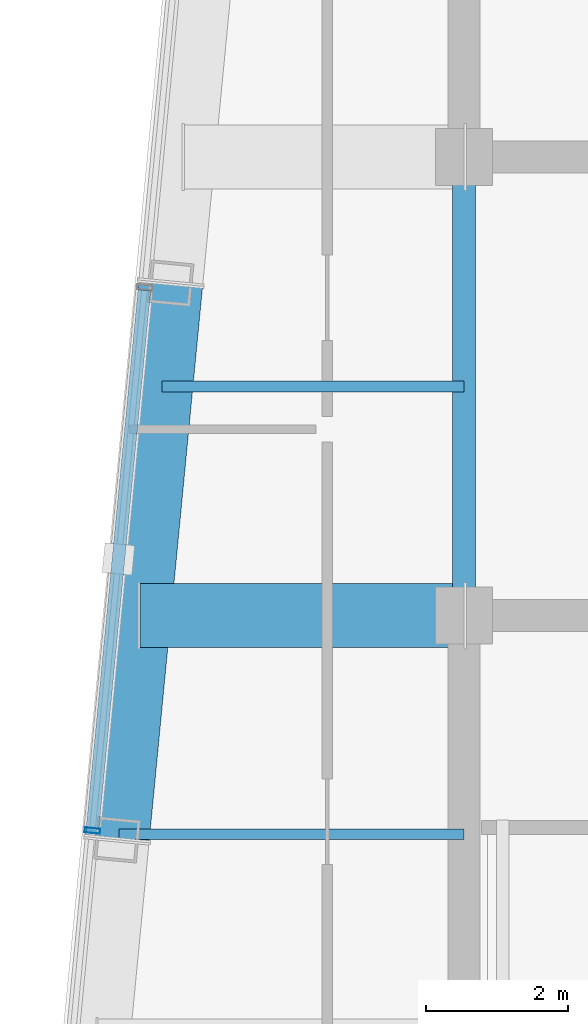
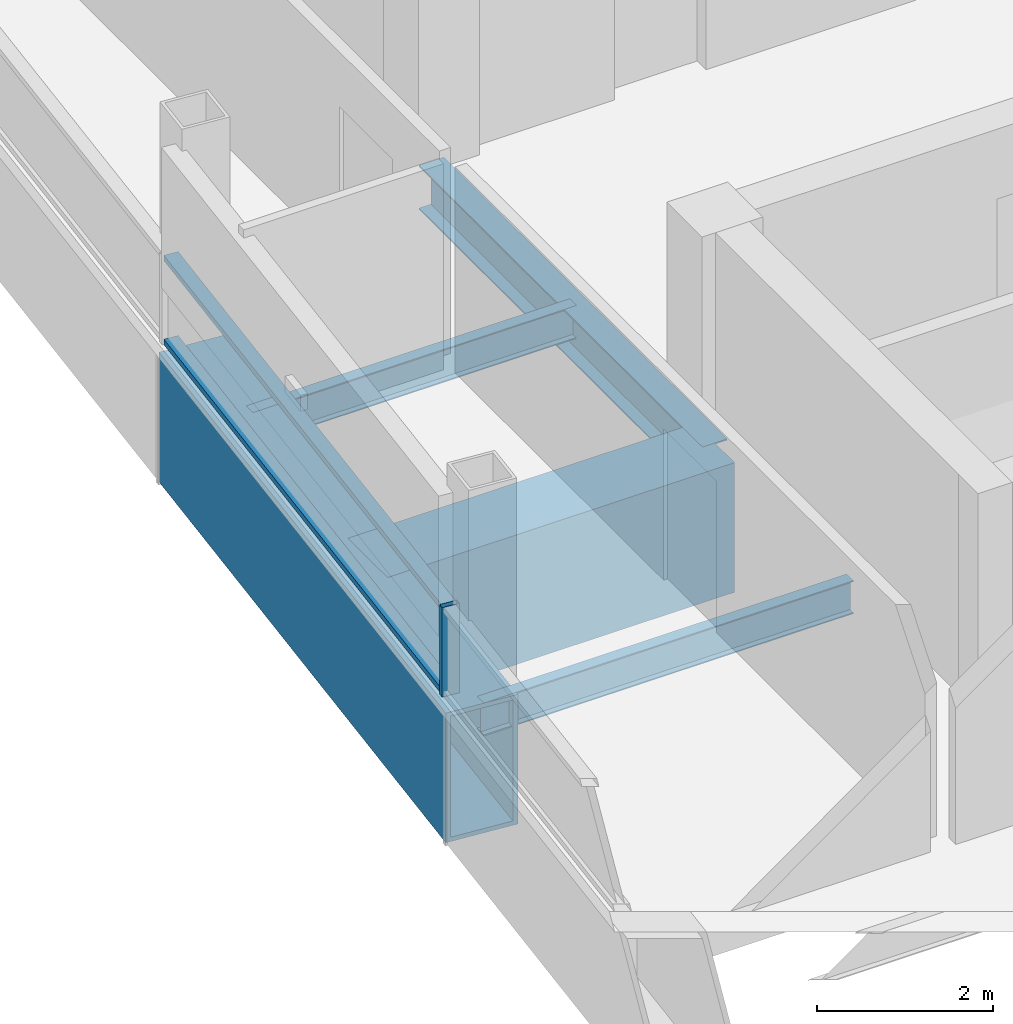
# One storey, part 6 of 21: 5 beams, 3 members, 1 element without a shape of its own.
"""IFC4 building model written with IfcOpenShell, lengths in metres."""

from ifc_helpers import new_model, si_unit, direction, frame, origin, origin_2d, place, context, subcontext, project, spatial, hollow_rectangle, i_section, extrude, material, layer, layer_set, material_profile, profile_set, type_object, element, aggregate, save


model = new_model("IFC4")

# Units and contexts
model_context = context("Model", 3, precision=1e-05, world=origin(), true_north=direction((0.0, 1.0)))
body_context = subcontext(model_context, "Body", "Model", "MODEL_VIEW")
ifc_project = project(units=[si_unit("LENGTHUNIT", "METRE"), si_unit("AREAUNIT", "SQUARE_METRE"), si_unit("VOLUMEUNIT", "CUBIC_METRE"), si_unit("PLANEANGLEUNIT", "RADIAN"), si_unit("MASSUNIT", "GRAM", prefix="KILO")], contexts=[model_context])

# Site, building, storey
site_placement = place(None, origin())
site = spatial("IfcSite", under=ifc_project, at=site_placement, CompositionType="ELEMENT")
building_placement = place(site_placement, origin())
building = spatial("IfcBuilding", under=site, at=building_placement, Name="Qhalaya Broadcast Tower", CompositionType="ELEMENT")
storey_placement = place(building_placement, frame((0.0, 0.0, 270.300048828125)))
storey = spatial("IfcBuildingStorey", under=building, at=storey_placement, Name="L80", CompositionType="ELEMENT", Elevation=270.300048828125)

# Beams
ifc_material_1 = material(Name="Structural Steel ASTM A572 Grade 50", Category="steel")
ifc_material_profile_1 = material_profile(ifc_material_1, hollow_rectangle(XDim=0.89990234375, YDim=1.800048828125, WallThickness=0.06005859375, at=origin_2d()), Name="BOX 900x1800x60")
ifc_profile_set_1 = profile_set([ifc_material_profile_1], Name="Structural Steel ASTM A572 Grade 50")
beam_type_1 = type_object("IfcBeamType", Name="Block Cantilever Transfer Box Girder TG1", PredefinedType="USERDEFINED", material=ifc_profile_set_1)
beam_1_placement = place(storey_placement, frame((-13.50244140625, 2.052490234375, -1.090087890625), z_axis=(-0.095837184179, -0.995397023367, 0.0), x_axis=(0.995397023367, -0.095837184179, 0.0)))
element("IfcBeam", 1, at=beam_1_placement, inside=storey, type_object=beam_type_1, Name="L80 TG1 L80-SPR-14", ObjectType="GIRDER", PredefinedType="USERDEFINED", context=body_context, shape_type="SweptSolid", body=[
    extrude(hollow_rectangle(XDim=0.89990234375, YDim=1.800048828125, WallThickness=0.06005859375, at=origin_2d()), origin(), (0.0, 0.0, 1.0), 7.866455078125),
])
beam_2_placement = place(storey_placement, frame((-13.9326171875, -2.625, -1.090087890625), z_axis=(1.0, 0.0, 0.0), x_axis=(0.0, 1.0, 0.0)))
element("IfcBeam", 2, at=beam_2_placement, inside=storey, type_object=beam_type_1, Name="L80 TG1 L80-PGYW2-1", ObjectType="GIRDER", PredefinedType="USERDEFINED", context=body_context, shape_type="SweptSolid", body=[
    extrude(hollow_rectangle(XDim=0.89990234375, YDim=1.800048828125, WallThickness=0.06005859375, at=origin_2d()), origin(), (0.0, 0.0, 1.0), 4.5576171875),
])
ifc_material_2 = material(Name="Structural Steel ASTM A992 Grade 50", Category="steel")
ifc_material_profile_2 = material_profile(ifc_material_2, i_section(OverallWidth=0.154052734375, OverallDepth=0.458984375, WebThickness=0.009033203125, FlangeThickness=0.015380859375, at=origin_2d()), Name="W18X46")
ifc_profile_set_2 = profile_set([ifc_material_profile_2], Name="Structural Steel ASTM A992 Grade 50")
beam_type_2 = type_object("IfcBeamType", Name="Composite Floor Joist J04", PredefinedType="JOIST", material=ifc_profile_set_2)
beam_3_placement = place(storey_placement, frame((-14.228759765625, -5.699951171875, -0.41943359375), z_axis=(1.0, 0.0, 0.0), x_axis=(0.0, 1.0, 0.0)))
element("IfcBeam", 3, at=beam_3_placement, inside=storey, type_object=beam_type_2, Name="L80 J04 L80-JWE3W-1", PredefinedType="JOIST", context=body_context, shape_type="SweptSolid", body=[
    extrude(i_section(OverallWidth=0.154052734375, OverallDepth=0.458984375, WebThickness=0.009033203125, FlangeThickness=0.015380859375, at=origin_2d()), origin(), (0.0, 0.0, 1.0), 4.853759765625),
])
beam_4_placement = place(storey_placement, frame((-13.622314453125, 0.60009765625, -0.41943359375), z_axis=(1.0, 0.0, 0.0), x_axis=(0.0, 1.0, 0.0)))
element("IfcBeam", 4, at=beam_4_placement, inside=storey, type_object=beam_type_2, Name="L80 J04 L80-JWE4W-1", PredefinedType="JOIST", context=body_context, shape_type="SweptSolid", body=[
    extrude(i_section(OverallWidth=0.154052734375, OverallDepth=0.458984375, WebThickness=0.009033203125, FlangeThickness=0.015380859375, at=origin_2d()), origin(), (0.0, 0.0, 1.0), 4.247314453125),
])
ifc_material_profile_3 = material_profile(ifc_material_2, i_section(OverallWidth=0.323974609375, OverallDepth=0.612060546875, WebThickness=0.0126953125, FlangeThickness=0.01904296875, at=origin_2d()), Name="W24X104")
ifc_profile_set_3 = profile_set([ifc_material_profile_3], Name="Structural Steel ASTM A992 Grade 50")
beam_type_3 = type_object("IfcBeamType", Name="Core Frame Tie Beam B04", PredefinedType="BEAM", material=ifc_profile_set_3)
beam_5_placement = place(storey_placement, frame((-9.375, -2.625, -0.49609375), z_axis=(0.0, 1.0, 0.0), x_axis=(-1.0, 0.0, 0.0)))
element("IfcBeam", 5, at=beam_5_placement, inside=storey, type_object=beam_type_3, Name="L80 B04 L80-CCW", PredefinedType="BEAM", context=body_context, shape_type="SweptSolid", body=[
    extrude(i_section(OverallWidth=0.323974609375, OverallDepth=0.612060546875, WebThickness=0.0126953125, FlangeThickness=0.01904296875, at=origin_2d()), origin(), (0.0, 0.0, 1.0), 6.449951171875),
])

# Curtain wall, members
ifc_material_3 = material(Name="Fired Architectural Terracotta", Category="masonry")
ifc_layer = layer(ifc_material_3, 0.219970703125, Name="Fired Architectural Terracotta")
ifc_layer_set = layer_set([ifc_layer], Name="Fired Architectural Terracotta")
curtain_wall_type = type_object("IfcCurtainWallType", Name="Block-Cap Unitised Terracotta Spandrel Wall CW-07", PredefinedType="NOTDEFINED", material=ifc_layer_set)
curtain_wall_placement = place(storey_placement, origin())
curtain_wall = element("IfcCurtainWall", 6, at=curtain_wall_placement, inside=storey, type_object=curtain_wall_type, Name="L80 Unitised Curtain Wall L80-CW-W", PredefinedType="NOTDEFINED")
ifc_material_4 = material(Name="Anodised Aluminium 6063-T6", Category="aluminium")
ifc_material_profile_4 = material_profile(ifc_material_4, hollow_rectangle(XDim=0.074951171875, YDim=0.219970703125, WallThickness=0.00390625, at=origin_2d()), Name="ALU-MUL 75x220x4")
ifc_profile_set_4 = profile_set([ifc_material_profile_4], Name="Anodised Aluminium 6063-T6")
member_type_1 = type_object("IfcMemberType", Name="Unitised Curtain-Wall Mullion M01", PredefinedType="MULLION", material=ifc_profile_set_4)
member_1_placement = place(storey_placement, frame((-14.605712890625, -5.64794921875, 0.0), z_axis=(0.0, 0.0, 1.0), x_axis=(0.095847800651, 0.995396001153, 0.0)))
member_1 = element("IfcMember", 7, at=member_1_placement, type_object=member_type_1, Name="CW-07 mullion 2", PredefinedType="MULLION", context=body_context, shape_type="SweptSolid", body=[
    extrude(hollow_rectangle(XDim=0.074951171875, YDim=0.219970703125, WallThickness=0.00390625, at=origin_2d()), origin(), (0.0, 0.0, 1.0), 1.239990234375),
])
ifc_material_profile_5 = material_profile(ifc_material_4, hollow_rectangle(XDim=0.074951171875, YDim=0.179931640625, WallThickness=0.00390625, at=origin_2d()), Name="ALU-TRN 75x180x4")
ifc_profile_set_5 = profile_set([ifc_material_profile_5], Name="Anodised Aluminium 6063-T6")
member_type_2 = type_object("IfcMemberType", Name="Unitised Curtain-Wall Transom T01", PredefinedType="USERDEFINED", material=ifc_profile_set_5)
member_2_placement = place(storey_placement, frame((-14.60205078125, -5.610595703125, 0.037353515625), z_axis=(0.095861153157, 0.995394715334, 0.0), x_axis=(0.0, 0.0, 1.0)))
member_2 = element("IfcMember", 8, at=member_2_placement, type_object=member_type_2, Name="CW-07 transom 2.1", ObjectType="TRANSOM", PredefinedType="USERDEFINED", context=body_context, shape_type="SweptSolid", body=[
    extrude(hollow_rectangle(XDim=0.074951171875, YDim=0.179931640625, WallThickness=0.00390625, at=origin_2d()), origin(), (0.0, 0.0, 1.0), 7.599609375),
])
member_3_placement = place(storey_placement, frame((-14.60205078125, -5.610595703125, 1.202392578125), z_axis=(0.095861153157, 0.995394715334, 0.0), x_axis=(0.0, 0.0, 1.0)))
member_3 = element("IfcMember", 9, at=member_3_placement, type_object=member_type_2, Name="CW-07 transom 2.2", ObjectType="TRANSOM", PredefinedType="USERDEFINED", context=body_context, shape_type="SweptSolid", body=[
    extrude(hollow_rectangle(XDim=0.074951171875, YDim=0.179931640625, WallThickness=0.00390625, at=origin_2d()), origin(), (0.0, 0.0, 1.0), 7.599609375),
])
aggregate(curtain_wall, [member_1, member_2, member_3])

save(model, "model.ifc")
